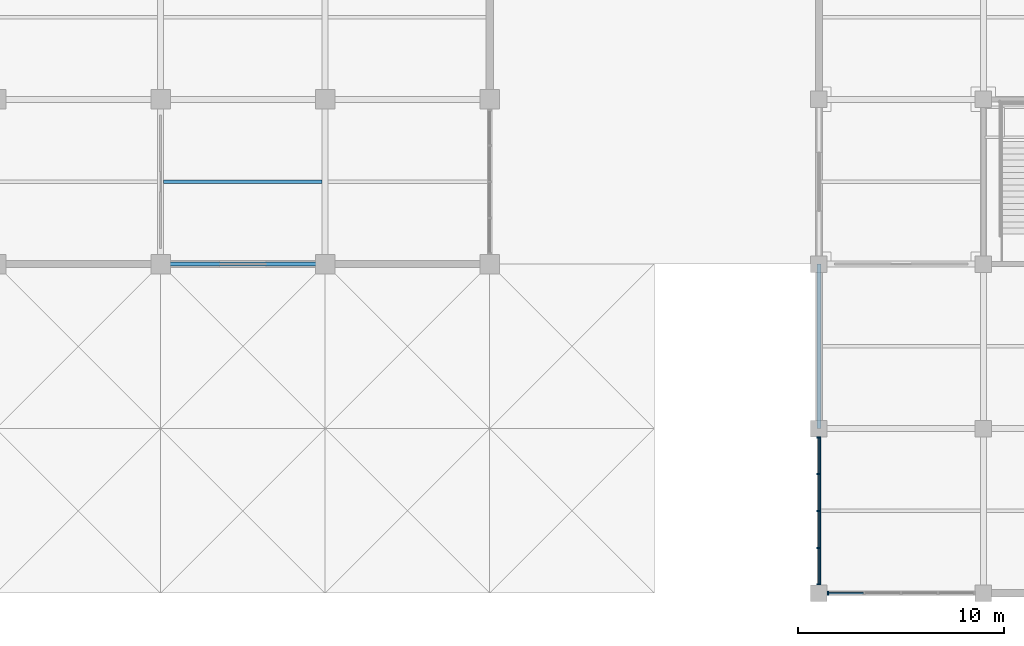
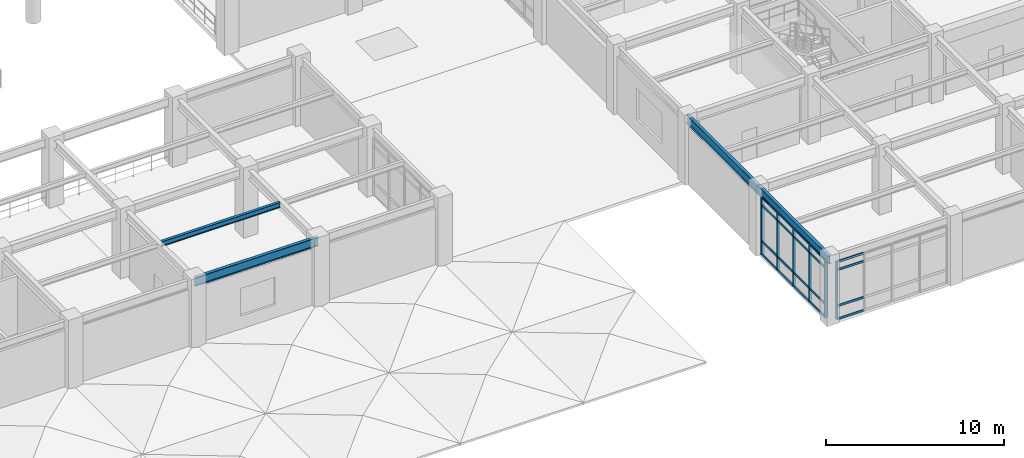
# One storey, part 19 of 109: 26 members, 4 beams, 2 elements without a shape of their own.
"""IFC4 building model written with IfcOpenShell, lengths in metres."""

import ifcopenshell
import ifcopenshell.guid

model = None  # the IFC model being written
_history = None  # IfcOwnerHistory: only IFC2X3 demands one
_inside = {}  # id of a spatial element -> (the spatial element, [elements in it])
_under = {}  # id of a project, library or spatial element -> (it, [spatial elements below it])
_declared = {}  # id of a project -> (the project, [libraries it declares])
_typed = {}  # id of a type object -> (the type object, [elements of that type])
_made_of = {}  # id of a material, layer set ... -> (it, [elements and type objects made of it])


def new_model(schema):
    """Start an empty IFC model of exactly this schema.

    Asked for "IFC4X3", IfcOpenShell would pick the latest addendum, in which some entities
    have other attributes; the version numbers below select the first issue.
    IFC2X3 requires an IfcOwnerHistory on every rooted entity: one is made here for all.
    """
    global model, _history
    if schema == "IFC4X3":
        model = ifcopenshell.file(schema_version=(4, 3, 0, 0))
    else:
        model = ifcopenshell.file(schema=schema)
    _inside.clear()
    _under.clear()
    _declared.clear()
    _typed.clear()
    _made_of.clear()
    _history = None
    if model.schema == "IFC2X3":
        org = make("IfcOrganization", Name="unknown")
        user = make(
            "IfcPersonAndOrganization",
            ThePerson=make("IfcPerson", FamilyName="unknown"),
            TheOrganization=org,
        )
        app = make(
            "IfcApplication",
            ApplicationDeveloper=org,
            Version="unknown",
            ApplicationFullName="unknown",
            ApplicationIdentifier="unknown",
        )
        _history = make(
            "IfcOwnerHistory",
            OwningUser=user,
            OwningApplication=app,
            ChangeAction="ADDED",
            CreationDate=0,
        )
    return model


def make(cls, **values):
    """One entity of the class cls with the attributes given. An attribute that is None is left unset."""
    return model.create_entity(
        cls, **{name: value for name, value in values.items() if value is not None}
    )


def rooted(cls, **values):
    """An entity with a GlobalId (a new one), such as an element, a storey or a relation."""
    return make(cls, GlobalId=ifcopenshell.guid.new(), OwnerHistory=_history, **values)


def si_unit(unit_type, name, prefix=None):
    """IfcSIUnit, for example si_unit("LENGTHUNIT", "METRE", prefix="MILLI")."""
    return make("IfcSIUnit", UnitType=unit_type, Prefix=prefix, Name=name)


def assignment(units):
    """IfcUnitAssignment: the units of a project."""
    return None if units is None else make("IfcUnitAssignment", Units=units)


def point(xyz):
    """IfcCartesianPoint."""
    return None if xyz is None else make("IfcCartesianPoint", Coordinates=xyz)


def direction(xyz):
    """IfcDirection."""
    return None if xyz is None else make("IfcDirection", DirectionRatios=xyz)


def frame(location, z_axis=None, x_axis=None):
    """IfcAxis2Placement3D, a coordinate frame: its origin and axes. An axis left out is left unset."""
    return make(
        "IfcAxis2Placement3D",
        Location=point(location),
        Axis=direction(z_axis),
        RefDirection=direction(x_axis),
    )


def frame_2d(location, x_axis=None):
    """IfcAxis2Placement2D, a coordinate frame in the plane: its origin and x axis."""
    return make(
        "IfcAxis2Placement2D", Location=point(location), RefDirection=direction(x_axis)
    )


def origin():
    """The frame at (0, 0, 0) with its axes left unset."""
    return frame((0.0, 0.0, 0.0))


def origin_2d():
    """The frame at (0, 0) in the plane with its x axis left unset."""
    return frame_2d((0.0, 0.0))


def place(relative_to, where):
    """IfcLocalPlacement: puts the frame where relative to a parent placement (None: the world)."""
    return make(
        "IfcLocalPlacement", PlacementRelTo=relative_to, RelativePlacement=where
    )


def context(
    kind, dimensions, precision=None, world=None, true_north=None, identifier=None
):
    """IfcGeometricRepresentationContext, for example the 3D "Model" context."""
    return make(
        "IfcGeometricRepresentationContext",
        ContextIdentifier=identifier,
        ContextType=kind,
        CoordinateSpaceDimension=dimensions,
        Precision=precision,
        WorldCoordinateSystem=world,
        TrueNorth=true_north,
    )


def subcontext(parent, identifier, kind, view, scale=None):
    """IfcGeometricRepresentationSubContext, for example "Body" below "Model"."""
    return make(
        "IfcGeometricRepresentationSubContext",
        ContextIdentifier=identifier,
        ContextType=kind,
        ParentContext=parent,
        TargetScale=scale,
        TargetView=view,
    )


def project(units=None, contexts=None):
    """IfcProject with its units and contexts."""
    return rooted(
        "IfcProject",
        Name="project",
        RepresentationContexts=contexts,
        UnitsInContext=assignment(units),
    )


def spatial(cls, under=None, at=None, **own):
    """A site, building, storey or space (cls), placed at a placement, below another one or the project."""
    s = rooted(cls, ObjectPlacement=at, **own)
    if under is not None:
        _under.setdefault(under.id(), (under, []))[1].append(s)
    return s


def profile(cls, at=None, kind="AREA", **sizes):
    """A parametric profile (cls). Its sizes go by their IFC names, for example OverallWidth=200.0."""
    return make(cls, ProfileType=kind, Position=at, **sizes)


def rectangle(**sizes):
    """IfcRectangleProfileDef."""
    return profile("IfcRectangleProfileDef", **sizes)


def i_section(**sizes):
    """IfcIShapeProfileDef."""
    return profile("IfcIShapeProfileDef", **sizes)


def extrude(swept, where, along, depth):
    """IfcExtrudedAreaSolid: the profile swept, set in the frame where, extruded along a direction by depth."""
    return make(
        "IfcExtrudedAreaSolid",
        SweptArea=swept,
        Position=where,
        ExtrudedDirection=direction(along),
        Depth=depth,
    )


def shape(context_of_items, identifier, shape_type, items):
    """IfcShapeRepresentation: the items that make up one representation, for example the "Body"."""
    return make(
        "IfcShapeRepresentation",
        ContextOfItems=context_of_items,
        RepresentationIdentifier=identifier,
        RepresentationType=shape_type,
        Items=items,
    )


def material(Name=None, Category=None):
    """IfcMaterial."""
    return make("IfcMaterial", Name=Name, Category=Category)


def layer(
    of_material, thickness, ventilated=None, Name=None, Category=None, Priority=None
):
    """IfcMaterialLayer: one layer of a wall or slab, of a material (None: an air gap)."""
    return make(
        "IfcMaterialLayer",
        Material=of_material,
        LayerThickness=thickness,
        IsVentilated=ventilated,
        Name=Name,
        Category=Category,
        Priority=Priority,
    )


def layer_set(layers, Name=None):
    """IfcMaterialLayerSet."""
    return make("IfcMaterialLayerSet", MaterialLayers=layers, LayerSetName=Name)


def material_profile(
    of_material, cross_section, Name=None, Category=None, Priority=None
):
    """IfcMaterialProfile: a cross section and its material."""
    return make(
        "IfcMaterialProfile",
        Name=Name,
        Material=of_material,
        Profile=cross_section,
        Priority=Priority,
        Category=Category,
    )


def profile_set(profiles, Name=None, composite=None):
    """IfcMaterialProfileSet."""
    return make(
        "IfcMaterialProfileSet",
        Name=Name,
        MaterialProfiles=profiles,
        CompositeProfile=composite,
    )


def made_of(thing, what):
    """Note that an element or type object is made of a material, layer set ...; save() writes the relation."""
    if what is not None:
        _made_of.setdefault(what.id(), (what, []))[1].append(thing)
    return thing


def type_object(cls, material=None, **own):
    """A type object (cls), such as IfcWallType, which elements share."""
    return made_of(rooted(cls, **own), material)


def element(
    cls,
    number,
    at=None,
    inside=None,
    cuts=None,
    type_object=None,
    material=None,
    context=None,
    identifier="Body",
    shape_type=None,
    held_by="IfcProductDefinitionShape",
    body=None,
    shapes=None,
    **own,
):
    """One element of the class cls, such as IfcWall. Its Tag is "e" and its number.

    at: its placement. inside: the storey or other place that contains it. cuts: it is an
    opening in that element (IfcRelVoidsElement). A single representation is given by context,
    identifier, shape_type and body (its items); several are given by shapes. held_by: the class
    of the entity that holds the representations. save() writes the other relations.
    """
    e = rooted(cls, Tag="e%d" % number, ObjectPlacement=at, **own)
    if body is not None:
        shapes = [shape(context, identifier, shape_type, body)]
    if shapes is not None:
        e.Representation = make(held_by, Representations=shapes)
    if inside is not None:
        _inside.setdefault(inside.id(), (inside, []))[1].append(e)
    if cuts is not None:
        rooted(
            "IfcRelVoidsElement", RelatingBuildingElement=cuts, RelatedOpeningElement=e
        )
    if type_object is not None:
        _typed.setdefault(type_object.id(), (type_object, []))[1].append(e)
    return made_of(e, material)


def aggregate(whole, parts):
    """IfcRelAggregates: a whole, such as a stair, and the parts it consists of."""
    return rooted("IfcRelAggregates", RelatingObject=whole, RelatedObjects=parts)


def save(model, path):
    """Write the relations noted so far, then the file.

    IfcRelAggregates (storeys below a building ...), IfcRelContainedInSpatialStructure (elements
    in a storey), IfcRelDefinesByType, IfcRelAssociatesMaterial and IfcRelDeclares: one each for
    every whole, place, type object, material and project.
    """
    for whole, parts in _under.values():
        aggregate(whole, parts)
    for where, things in _inside.values():
        rooted(
            "IfcRelContainedInSpatialStructure",
            RelatedElements=things,
            RelatingStructure=where,
        )
    for kind, things in _typed.values():
        rooted("IfcRelDefinesByType", RelatedObjects=things, RelatingType=kind)
    for what, things in _made_of.values():
        rooted("IfcRelAssociatesMaterial", RelatedObjects=things, RelatingMaterial=what)
    for by, libraries in _declared.values():
        rooted("IfcRelDeclares", RelatingContext=by, RelatedDefinitions=libraries)
    model.write(path)


model = new_model("IFC4")

# Units and contexts
model_context = context("Model", 3, precision=1e-05, world=origin(), true_north=direction((0.0, 1.0)))
body_context = subcontext(model_context, "Body", "Model", "MODEL_VIEW")
ifc_project = project(units=[si_unit("LENGTHUNIT", "METRE"), si_unit("AREAUNIT", "SQUARE_METRE"), si_unit("VOLUMEUNIT", "CUBIC_METRE"), si_unit("PLANEANGLEUNIT", "RADIAN"), si_unit("MASSUNIT", "GRAM", prefix="KILO")], contexts=[model_context])

# Site, building, storey
site_placement = place(None, origin())
site = spatial("IfcSite", under=ifc_project, at=site_placement, CompositionType="ELEMENT")
building_placement = place(site_placement, origin())
building = spatial("IfcBuilding", under=site, at=building_placement, Name="Haebicheon Civic Stadium", CompositionType="ELEMENT")
storey_placement = place(building_placement, frame((0.0, 0.0, 9.60009765625)))
storey = spatial("IfcBuildingStorey", under=building, at=storey_placement, Name="L03", CompositionType="ELEMENT", Elevation=9.60009765625)

# Curtain wall, member
ifc_material_1 = material(Name="Anodised aluminium and laminated glass", Category="aluminium")
ifc_layer = layer(ifc_material_1, 0.179931640625, Name="Anodised aluminium and laminated glass")
ifc_layer_set = layer_set([ifc_layer], Name="Anodised aluminium and laminated glass")
curtain_wall_type = type_object("IfcCurtainWallType", Name="CW-7200x3930", PredefinedType="NOTDEFINED", material=ifc_layer_set)
curtain_wall_1_placement = place(storey_placement, origin())
curtain_wall_1 = element("IfcCurtainWall", 1, at=curtain_wall_1_placement, inside=storey, type_object=curtain_wall_type, material=ifc_layer_set, Name="L03 unitised curtain wall 085", PredefinedType="NOTDEFINED")
ifc_material_2 = material(Name="Anodised aluminium 6063-T6", Category="aluminium")
ifc_material_profile_1 = material_profile(ifc_material_2, rectangle(XDim=0.070068359375, YDim=0.199951171875, at=origin_2d()), Name="ALU-MULL-70x200")
ifc_profile_set_1 = profile_set([ifc_material_profile_1], Name="Anodised aluminium 6063-T6")
member_type_1 = type_object("IfcMemberType", Name="CWM-200x70", PredefinedType="MULLION", material=ifc_profile_set_1)
member_1_placement = place(storey_placement, frame((160.43505859375, 0.0, 0.0), z_axis=(0.0, 0.0, 1.0), x_axis=(1.0, 0.0, 0.0)))
member_1 = element("IfcMember", 2, at=member_1_placement, type_object=member_type_1, material=ifc_profile_set_1, Name="CW-L03-085 vertical mullion 1", PredefinedType="MULLION", context=body_context, shape_type="SweptSolid", body=[
    extrude(rectangle(XDim=0.070068359375, YDim=0.199951171875, at=origin_2d()), origin(), (0.0, 0.0, 1.0), 3.929931640625),
])

# Curtain wall, members
curtain_wall_2_placement = place(storey_placement, origin())
curtain_wall_2 = element("IfcCurtainWall", 3, at=curtain_wall_2_placement, inside=storey, type_object=curtain_wall_type, material=ifc_layer_set, Name="L03 unitised curtain wall 086", PredefinedType="NOTDEFINED")
member_2_placement = place(storey_placement, frame((160.0, 0.43505859375, 0.0), z_axis=(0.0, 0.0, 1.0), x_axis=(0.0, 1.0, 0.0)))
member_2 = element("IfcMember", 4, at=member_2_placement, type_object=member_type_1, material=ifc_profile_set_1, Name="CW-L03-086 vertical mullion 1", PredefinedType="MULLION", context=body_context, shape_type="SweptSolid", body=[
    extrude(rectangle(XDim=0.070068359375, YDim=0.199951171875, at=origin_2d()), origin(), (0.0, 0.0, 1.0), 3.929931640625),
])
member_3_placement = place(storey_placement, frame((160.0, 2.199951171875, 0.0), z_axis=(0.0, 0.0, 1.0), x_axis=(0.0, 1.0, 0.0)))
member_3 = element("IfcMember", 5, at=member_3_placement, type_object=member_type_1, material=ifc_profile_set_1, Name="CW-L03-086 vertical mullion 2", PredefinedType="MULLION", context=body_context, shape_type="SweptSolid", body=[
    extrude(rectangle(XDim=0.070068359375, YDim=0.199951171875, at=origin_2d()), origin(), (0.0, 0.0, 1.0), 3.929931640625),
])
member_4_placement = place(storey_placement, frame((160.0, 4.0, 0.0), z_axis=(0.0, 0.0, 1.0), x_axis=(0.0, 1.0, 0.0)))
member_4 = element("IfcMember", 6, at=member_4_placement, type_object=member_type_1, material=ifc_profile_set_1, Name="CW-L03-086 vertical mullion 3", PredefinedType="MULLION", context=body_context, shape_type="SweptSolid", body=[
    extrude(rectangle(XDim=0.070068359375, YDim=0.199951171875, at=origin_2d()), origin(), (0.0, 0.0, 1.0), 3.929931640625),
])
member_5_placement = place(storey_placement, frame((160.0, 5.800048828125, 0.0), z_axis=(0.0, 0.0, 1.0), x_axis=(0.0, 1.0, 0.0)))
member_5 = element("IfcMember", 7, at=member_5_placement, type_object=member_type_1, material=ifc_profile_set_1, Name="CW-L03-086 vertical mullion 4", PredefinedType="MULLION", context=body_context, shape_type="SweptSolid", body=[
    extrude(rectangle(XDim=0.070068359375, YDim=0.199951171875, at=origin_2d()), origin(), (0.0, 0.0, 1.0), 3.929931640625),
])
member_6_placement = place(storey_placement, frame((160.0, 7.56494140625, 0.0), z_axis=(0.0, 0.0, 1.0), x_axis=(0.0, 1.0, 0.0)))
member_6 = element("IfcMember", 8, at=member_6_placement, type_object=member_type_1, material=ifc_profile_set_1, Name="CW-L03-086 vertical mullion 5", PredefinedType="MULLION", context=body_context, shape_type="SweptSolid", body=[
    extrude(rectangle(XDim=0.070068359375, YDim=0.199951171875, at=origin_2d()), origin(), (0.0, 0.0, 1.0), 3.929931640625),
])

# Member
ifc_material_3 = material(Name="Anodised aluminium 6063-T6", Category="aluminium")
ifc_material_profile_2 = material_profile(ifc_material_3, rectangle(XDim=0.070068359375, YDim=0.14990234375, at=origin_2d()), Name="ALU-TRAN-70x150")
ifc_profile_set_2 = profile_set([ifc_material_profile_2], Name="Anodised aluminium 6063-T6")
member_type_2 = type_object("IfcMemberType", Name="CWT-150x70", PredefinedType="NOTDEFINED", material=ifc_profile_set_2)
member_7_placement = place(storey_placement, frame((160.469970703125, 0.0, 0.0), z_axis=(1.0, 0.0, 0.0), x_axis=(0.0, 1.0, 0.0)))
member_7 = element("IfcMember", 9, at=member_7_placement, type_object=member_type_2, material=ifc_profile_set_2, Name="CW-L03-085 horizontal transom 1.1", ObjectType="TRANSOM", PredefinedType="USERDEFINED", context=body_context, shape_type="SweptSolid", body=[
    extrude(rectangle(XDim=0.070068359375, YDim=0.14990234375, at=origin_2d()), origin(), (0.0, 0.0, 1.0), 1.695068359375),
])

member_8_placement = place(storey_placement, frame((160.469970703125, 0.0, 0.89990234375), z_axis=(1.0, 0.0, 0.0), x_axis=(0.0, 1.0, 0.0)))
member_8 = element("IfcMember", 10, at=member_8_placement, type_object=member_type_2, material=ifc_profile_set_2, Name="CW-L03-085 horizontal transom 1.2", ObjectType="TRANSOM", PredefinedType="USERDEFINED", context=body_context, shape_type="SweptSolid", body=[
    extrude(rectangle(XDim=0.070068359375, YDim=0.14990234375, at=origin_2d()), origin(), (0.0, 0.0, 1.0), 1.695068359375),
])

member_9_placement = place(storey_placement, frame((160.469970703125, 0.0, 3.3798828125), z_axis=(1.0, 0.0, 0.0), x_axis=(0.0, 1.0, 0.0)))
member_9 = element("IfcMember", 11, at=member_9_placement, type_object=member_type_2, material=ifc_profile_set_2, Name="CW-L03-085 horizontal transom 1.3", ObjectType="TRANSOM", PredefinedType="USERDEFINED", context=body_context, shape_type="SweptSolid", body=[
    extrude(rectangle(XDim=0.070068359375, YDim=0.14990234375, at=origin_2d()), origin(), (0.0, 0.0, 1.0), 1.695068359375),
])

member_10_placement = place(storey_placement, frame((160.469970703125, 0.0, 3.929931640625), z_axis=(1.0, 0.0, 0.0), x_axis=(0.0, 1.0, 0.0)))
member_10 = element("IfcMember", 12, at=member_10_placement, type_object=member_type_2, material=ifc_profile_set_2, Name="CW-L03-085 horizontal transom 1.4", ObjectType="TRANSOM", PredefinedType="USERDEFINED", context=body_context, shape_type="SweptSolid", body=[
    extrude(rectangle(XDim=0.070068359375, YDim=0.14990234375, at=origin_2d()), origin(), (0.0, 0.0, 1.0), 1.695068359375),
])

aggregate(curtain_wall_1, [member_1, member_7, member_8, member_9, member_10])

member_11_placement = place(storey_placement, frame((160.0, 0.469970703125, 0.0), z_axis=(0.0, 1.0, 0.0), x_axis=(-1.0, 0.0, 0.0)))
member_11 = element("IfcMember", 13, at=member_11_placement, type_object=member_type_2, material=ifc_profile_set_2, Name="CW-L03-086 horizontal transom 1.1", ObjectType="TRANSOM", PredefinedType="USERDEFINED", context=body_context, shape_type="SweptSolid", body=[
    extrude(rectangle(XDim=0.070068359375, YDim=0.14990234375, at=origin_2d()), origin(), (0.0, 0.0, 1.0), 1.695068359375),
])

member_12_placement = place(storey_placement, frame((160.0, 0.469970703125, 0.89990234375), z_axis=(0.0, 1.0, 0.0), x_axis=(-1.0, 0.0, 0.0)))
member_12 = element("IfcMember", 14, at=member_12_placement, type_object=member_type_2, material=ifc_profile_set_2, Name="CW-L03-086 horizontal transom 1.2", ObjectType="TRANSOM", PredefinedType="USERDEFINED", context=body_context, shape_type="SweptSolid", body=[
    extrude(rectangle(XDim=0.070068359375, YDim=0.14990234375, at=origin_2d()), origin(), (0.0, 0.0, 1.0), 1.695068359375),
])

member_13_placement = place(storey_placement, frame((160.0, 0.469970703125, 3.3798828125), z_axis=(0.0, 1.0, 0.0), x_axis=(-1.0, 0.0, 0.0)))
member_13 = element("IfcMember", 15, at=member_13_placement, type_object=member_type_2, material=ifc_profile_set_2, Name="CW-L03-086 horizontal transom 1.3", ObjectType="TRANSOM", PredefinedType="USERDEFINED", context=body_context, shape_type="SweptSolid", body=[
    extrude(rectangle(XDim=0.070068359375, YDim=0.14990234375, at=origin_2d()), origin(), (0.0, 0.0, 1.0), 1.695068359375),
])

member_14_placement = place(storey_placement, frame((160.0, 0.469970703125, 3.929931640625), z_axis=(0.0, 1.0, 0.0), x_axis=(-1.0, 0.0, 0.0)))
member_14 = element("IfcMember", 16, at=member_14_placement, type_object=member_type_2, material=ifc_profile_set_2, Name="CW-L03-086 horizontal transom 1.4", ObjectType="TRANSOM", PredefinedType="USERDEFINED", context=body_context, shape_type="SweptSolid", body=[
    extrude(rectangle(XDim=0.070068359375, YDim=0.14990234375, at=origin_2d()), origin(), (0.0, 0.0, 1.0), 1.695068359375),
])

member_15_placement = place(storey_placement, frame((160.0, 2.235107421875, 0.0), z_axis=(0.0, 1.0, 0.0), x_axis=(-1.0, 0.0, 0.0)))
member_15 = element("IfcMember", 17, at=member_15_placement, type_object=member_type_2, material=ifc_profile_set_2, Name="CW-L03-086 horizontal transom 2.1", ObjectType="TRANSOM", PredefinedType="USERDEFINED", context=body_context, shape_type="SweptSolid", body=[
    extrude(rectangle(XDim=0.070068359375, YDim=0.14990234375, at=origin_2d()), origin(), (0.0, 0.0, 1.0), 1.72998046875),
])

member_16_placement = place(storey_placement, frame((160.0, 2.235107421875, 0.89990234375), z_axis=(0.0, 1.0, 0.0), x_axis=(-1.0, 0.0, 0.0)))
member_16 = element("IfcMember", 18, at=member_16_placement, type_object=member_type_2, material=ifc_profile_set_2, Name="CW-L03-086 horizontal transom 2.2", ObjectType="TRANSOM", PredefinedType="USERDEFINED", context=body_context, shape_type="SweptSolid", body=[
    extrude(rectangle(XDim=0.070068359375, YDim=0.14990234375, at=origin_2d()), origin(), (0.0, 0.0, 1.0), 1.72998046875),
])

member_17_placement = place(storey_placement, frame((160.0, 2.235107421875, 3.3798828125), z_axis=(0.0, 1.0, 0.0), x_axis=(-1.0, 0.0, 0.0)))
member_17 = element("IfcMember", 19, at=member_17_placement, type_object=member_type_2, material=ifc_profile_set_2, Name="CW-L03-086 horizontal transom 2.3", ObjectType="TRANSOM", PredefinedType="USERDEFINED", context=body_context, shape_type="SweptSolid", body=[
    extrude(rectangle(XDim=0.070068359375, YDim=0.14990234375, at=origin_2d()), origin(), (0.0, 0.0, 1.0), 1.72998046875),
])

member_18_placement = place(storey_placement, frame((160.0, 2.235107421875, 3.929931640625), z_axis=(0.0, 1.0, 0.0), x_axis=(-1.0, 0.0, 0.0)))
member_18 = element("IfcMember", 20, at=member_18_placement, type_object=member_type_2, material=ifc_profile_set_2, Name="CW-L03-086 horizontal transom 2.4", ObjectType="TRANSOM", PredefinedType="USERDEFINED", context=body_context, shape_type="SweptSolid", body=[
    extrude(rectangle(XDim=0.070068359375, YDim=0.14990234375, at=origin_2d()), origin(), (0.0, 0.0, 1.0), 1.72998046875),
])

member_19_placement = place(storey_placement, frame((160.0, 4.034912109375, 0.0), z_axis=(0.0, 1.0, 0.0), x_axis=(-1.0, 0.0, 0.0)))
member_19 = element("IfcMember", 21, at=member_19_placement, type_object=member_type_2, material=ifc_profile_set_2, Name="CW-L03-086 horizontal transom 3.1", ObjectType="TRANSOM", PredefinedType="USERDEFINED", context=body_context, shape_type="SweptSolid", body=[
    extrude(rectangle(XDim=0.070068359375, YDim=0.14990234375, at=origin_2d()), origin(), (0.0, 0.0, 1.0), 1.72998046875),
])

member_20_placement = place(storey_placement, frame((160.0, 4.034912109375, 0.89990234375), z_axis=(0.0, 1.0, 0.0), x_axis=(-1.0, 0.0, 0.0)))
member_20 = element("IfcMember", 22, at=member_20_placement, type_object=member_type_2, material=ifc_profile_set_2, Name="CW-L03-086 horizontal transom 3.2", ObjectType="TRANSOM", PredefinedType="USERDEFINED", context=body_context, shape_type="SweptSolid", body=[
    extrude(rectangle(XDim=0.070068359375, YDim=0.14990234375, at=origin_2d()), origin(), (0.0, 0.0, 1.0), 1.72998046875),
])

member_21_placement = place(storey_placement, frame((160.0, 4.034912109375, 3.3798828125), z_axis=(0.0, 1.0, 0.0), x_axis=(-1.0, 0.0, 0.0)))
member_21 = element("IfcMember", 23, at=member_21_placement, type_object=member_type_2, material=ifc_profile_set_2, Name="CW-L03-086 horizontal transom 3.3", ObjectType="TRANSOM", PredefinedType="USERDEFINED", context=body_context, shape_type="SweptSolid", body=[
    extrude(rectangle(XDim=0.070068359375, YDim=0.14990234375, at=origin_2d()), origin(), (0.0, 0.0, 1.0), 1.72998046875),
])

member_22_placement = place(storey_placement, frame((160.0, 4.034912109375, 3.929931640625), z_axis=(0.0, 1.0, 0.0), x_axis=(-1.0, 0.0, 0.0)))
member_22 = element("IfcMember", 24, at=member_22_placement, type_object=member_type_2, material=ifc_profile_set_2, Name="CW-L03-086 horizontal transom 3.4", ObjectType="TRANSOM", PredefinedType="USERDEFINED", context=body_context, shape_type="SweptSolid", body=[
    extrude(rectangle(XDim=0.070068359375, YDim=0.14990234375, at=origin_2d()), origin(), (0.0, 0.0, 1.0), 1.72998046875),
])

member_23_placement = place(storey_placement, frame((160.0, 5.8349609375, 0.0), z_axis=(0.0, 1.0, 0.0), x_axis=(-1.0, 0.0, 0.0)))
member_23 = element("IfcMember", 25, at=member_23_placement, type_object=member_type_2, material=ifc_profile_set_2, Name="CW-L03-086 horizontal transom 4.1", ObjectType="TRANSOM", PredefinedType="USERDEFINED", context=body_context, shape_type="SweptSolid", body=[
    extrude(rectangle(XDim=0.070068359375, YDim=0.14990234375, at=origin_2d()), origin(), (0.0, 0.0, 1.0), 1.695068359375),
])

member_24_placement = place(storey_placement, frame((160.0, 5.8349609375, 0.89990234375), z_axis=(0.0, 1.0, 0.0), x_axis=(-1.0, 0.0, 0.0)))
member_24 = element("IfcMember", 26, at=member_24_placement, type_object=member_type_2, material=ifc_profile_set_2, Name="CW-L03-086 horizontal transom 4.2", ObjectType="TRANSOM", PredefinedType="USERDEFINED", context=body_context, shape_type="SweptSolid", body=[
    extrude(rectangle(XDim=0.070068359375, YDim=0.14990234375, at=origin_2d()), origin(), (0.0, 0.0, 1.0), 1.695068359375),
])

member_25_placement = place(storey_placement, frame((160.0, 5.8349609375, 3.3798828125), z_axis=(0.0, 1.0, 0.0), x_axis=(-1.0, 0.0, 0.0)))
member_25 = element("IfcMember", 27, at=member_25_placement, type_object=member_type_2, material=ifc_profile_set_2, Name="CW-L03-086 horizontal transom 4.3", ObjectType="TRANSOM", PredefinedType="USERDEFINED", context=body_context, shape_type="SweptSolid", body=[
    extrude(rectangle(XDim=0.070068359375, YDim=0.14990234375, at=origin_2d()), origin(), (0.0, 0.0, 1.0), 1.695068359375),
])

member_26_placement = place(storey_placement, frame((160.0, 5.8349609375, 3.929931640625), z_axis=(0.0, 1.0, 0.0), x_axis=(-1.0, 0.0, 0.0)))
member_26 = element("IfcMember", 28, at=member_26_placement, type_object=member_type_2, material=ifc_profile_set_2, Name="CW-L03-086 horizontal transom 4.4", ObjectType="TRANSOM", PredefinedType="USERDEFINED", context=body_context, shape_type="SweptSolid", body=[
    extrude(rectangle(XDim=0.070068359375, YDim=0.14990234375, at=origin_2d()), origin(), (0.0, 0.0, 1.0), 1.695068359375),
])

aggregate(curtain_wall_2, [member_2, member_3, member_4, member_5, member_6, member_11, member_12, member_13, member_14, member_15, member_16, member_17, member_18, member_19, member_20, member_21, member_22, member_23, member_24, member_25, member_26])

# Beams
ifc_material_4 = material(Name="Steel SM355 (S355)", Category="steel")
ifc_material_profile_3 = material_profile(ifc_material_4, i_section(OverallWidth=0.175048828125, OverallDepth=0.35009765625, WebThickness=0.007080078125, FlangeThickness=0.010986328125, at=origin_2d()), Name="H-350x175x7x11")
ifc_profile_set_3 = profile_set([ifc_material_profile_3], Name="Steel SM355 (S355)")
beam_type_1 = type_object("IfcBeamType", Name="JST-ST-H350", PredefinedType="JOIST", material=ifc_profile_set_3)
beam_placement = place(storey_placement, frame((128.14990234375, 20.0, 4.364990234375), z_axis=(1.0, 0.0, 0.0), x_axis=(0.0, 1.0, 0.0)))
element("IfcBeam", 29, at=beam_placement, inside=storey, type_object=beam_type_1, material=ifc_profile_set_3, Name="L03 secondary joist 16-02", PredefinedType="JOIST", context=body_context, shape_type="SweptSolid", body=[
    extrude(i_section(OverallWidth=0.175048828125, OverallDepth=0.35009765625, WebThickness=0.007080078125, FlangeThickness=0.010986328125, at=origin_2d()), origin(), (0.0, 0.0, 1.0), 7.7001953125),
])
ifc_material_5 = material(Name="Steel SM355 (S355)", Category="steel")
ifc_material_profile_4 = material_profile(ifc_material_5, i_section(OverallWidth=0.199951171875, OverallDepth=0.60009765625, WebThickness=0.010986328125, FlangeThickness=0.01708984375, at=origin_2d()), Name="H-600x200x11x17")
ifc_profile_set_4 = profile_set([ifc_material_profile_4], Name="Steel SM355 (S355)")
beam_type_2 = type_object("IfcBeamType", Name="SPD-ST-H600B", PredefinedType="SPANDREL", material=ifc_profile_set_4)
for number, where, z_axis, x_axis, name in (
    (30, (160.0, 0.0, 4.239990234375), (0.0, 1.0, 0.0), (-1.0, 0.0, 0.0), "L03 girder 21/A-B"),
    (31, (160.0, 8.0, 4.239990234375), (0.0, 1.0, 0.0), (-1.0, 0.0, 0.0), "L03 girder 21/B-C"),
    (32, (128.0, 16.0, 4.239990234375), (1.0, 0.0, 0.0), (0.0, 1.0, 0.0), "L03 beam C/17-18"),
):
    element("IfcBeam", number, at=place(storey_placement, frame(where, z_axis=z_axis, x_axis=x_axis)), inside=storey, type_object=beam_type_2, material=ifc_profile_set_4, Name=name, PredefinedType="SPANDREL", context=body_context, shape_type="SweptSolid", body=[
        extrude(i_section(OverallWidth=0.199951171875, OverallDepth=0.60009765625, WebThickness=0.010986328125, FlangeThickness=0.01708984375, at=origin_2d()), origin(), (0.0, 0.0, 1.0), 8.0),
    ])

save(model, "model.ifc")
